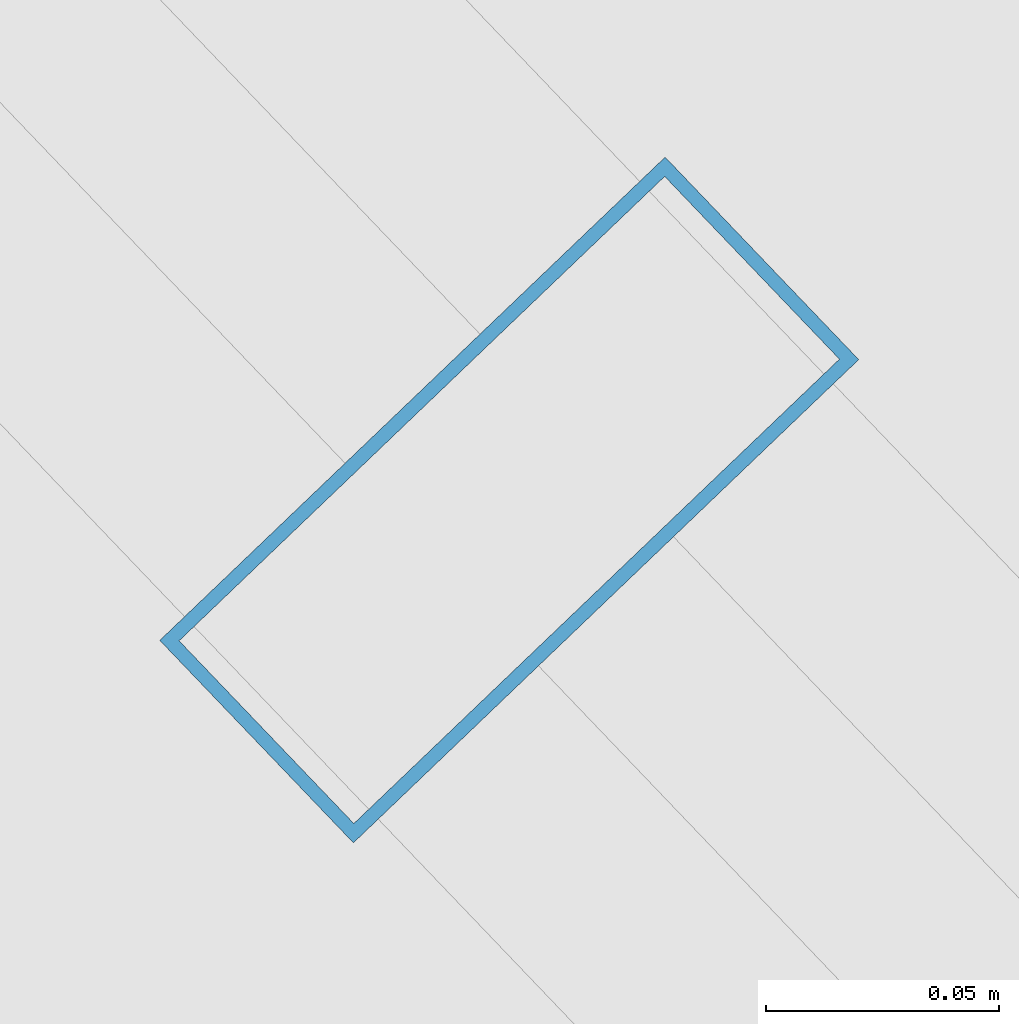
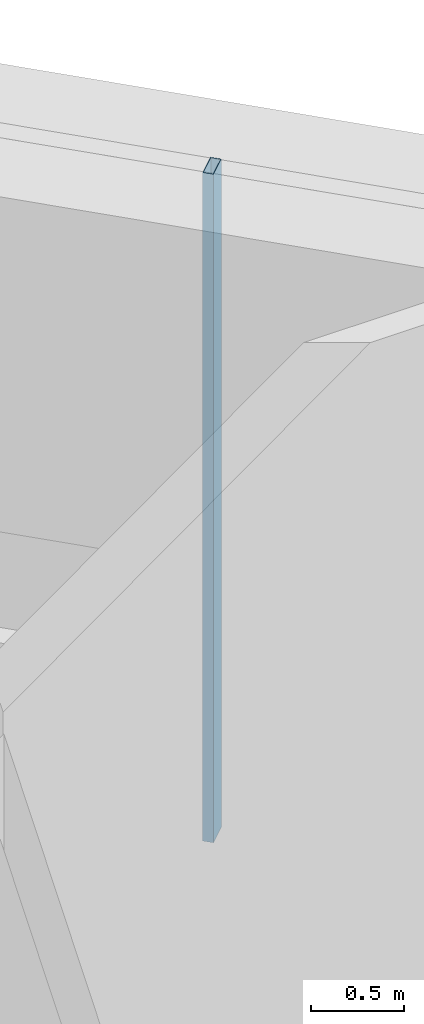
# One storey, part 22 of 39: 1 member, 1 element without a shape of its own.
"""IFC4 building model written with IfcOpenShell, lengths in metres."""

from ifc_helpers import new_model, si_unit, direction, frame, origin, origin_2d, place, context, subcontext, project, spatial, hollow_rectangle, extrude, source, transform, mapped, material, layer, layer_set, material_profile, profile_set, type_object, element, aggregate, save


model = new_model("IFC4")

# Units and contexts
model_context = context("Model", 3, precision=1e-05, world=origin(), true_north=direction((0.0, 1.0)))
body_context = subcontext(model_context, "Body", "Model", "MODEL_VIEW")
ifc_project = project(units=[si_unit("LENGTHUNIT", "METRE"), si_unit("AREAUNIT", "SQUARE_METRE"), si_unit("VOLUMEUNIT", "CUBIC_METRE"), si_unit("PLANEANGLEUNIT", "RADIAN"), si_unit("MASSUNIT", "GRAM", prefix="KILO")], contexts=[model_context])

# Site, building, storey
site_placement = place(None, origin())
site = spatial("IfcSite", under=ifc_project, at=site_placement, CompositionType="ELEMENT")
building_placement = place(site_placement, origin())
building = spatial("IfcBuilding", under=site, at=building_placement, Name="Veraguas Prism Commons", CompositionType="ELEMENT")
storey_placement = place(building_placement, frame((0.0, 0.0, 264.25)))
storey = spatial("IfcBuildingStorey", under=building, at=storey_placement, Name="L75", CompositionType="ELEMENT", Elevation=264.25)

# Curtain wall, member
ifc_material = material(Name="Anodised aluminium EN AW-6063 T6", Category="aluminium")
ifc_layer = layer(ifc_material, 0.14990234375, Name="Unitised Flush Curtain Wall Zone 4", Category="aluminium")
ifc_layer_set = layer_set([ifc_layer], Name="Anodised aluminium EN AW-6063 T6")
curtain_wall_type = type_object("IfcCurtainWallType", Name="Unitised Flush Curtain Wall Zone 4", PredefinedType="NOTDEFINED", material=ifc_layer_set)
curtain_wall_placement = place(storey_placement, origin())
curtain_wall = element("IfcCurtainWall", 1, at=curtain_wall_placement, inside=storey, type_object=curtain_wall_type, Name="Tower Facade Curtain Wall L75-F1", PredefinedType="NOTDEFINED")
ifc_material_profile = material_profile(ifc_material, hollow_rectangle(XDim=0.06005859375, YDim=0.14990234375, WallThickness=0.0029296875, at=origin_2d()), Name="AL60X150X3")
ifc_profile_set = profile_set([ifc_material_profile], Name="Anodised aluminium EN AW-6063 T6")
member_type = type_object("IfcMemberType", Name="Curtain Wall Mullion Upper AL 60x150x3", PredefinedType="MULLION", material=ifc_profile_set)
shared_shape = source(origin(), body_context, "Body", "SweptSolid", [
    extrude(hollow_rectangle(XDim=0.06005859375, YDim=0.14990234375, WallThickness=0.0029296875, at=origin_2d()), origin(), (0.0, 0.0, 1.0), 4.389892578125),
])
member_placement = place(storey_placement, frame((35.89208984375, 35.372314453125, 0.0), z_axis=(0.0, 0.0, 1.0), x_axis=(-0.691134732122, 0.722725938412, 0.0)))
member = element("IfcMember", 2, at=member_placement, type_object=member_type, Name="CW-Z4 Mullion 3", PredefinedType="MULLION", context=body_context, shape_type="MappedRepresentation", body=[
    mapped(shared_shape, transform((0.0, 0.0, 0.0), scale=1.0)),
])
aggregate(curtain_wall, [member])

save(model, "model.ifc")
